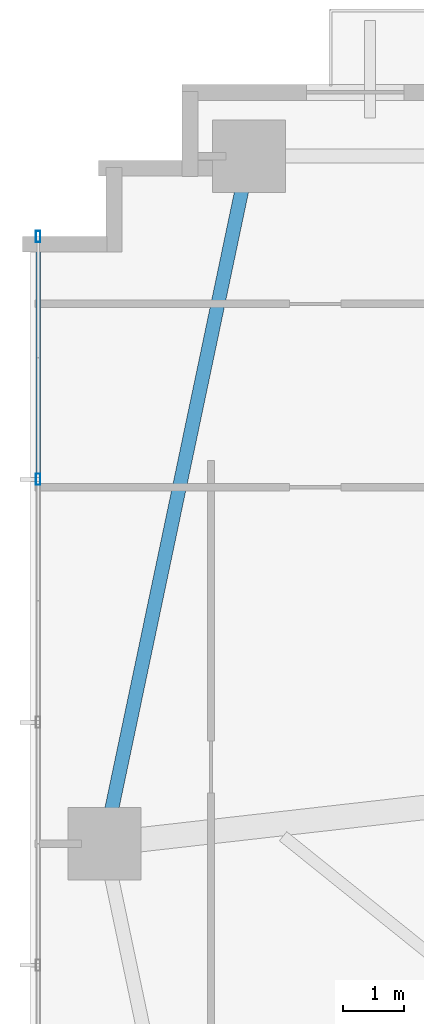
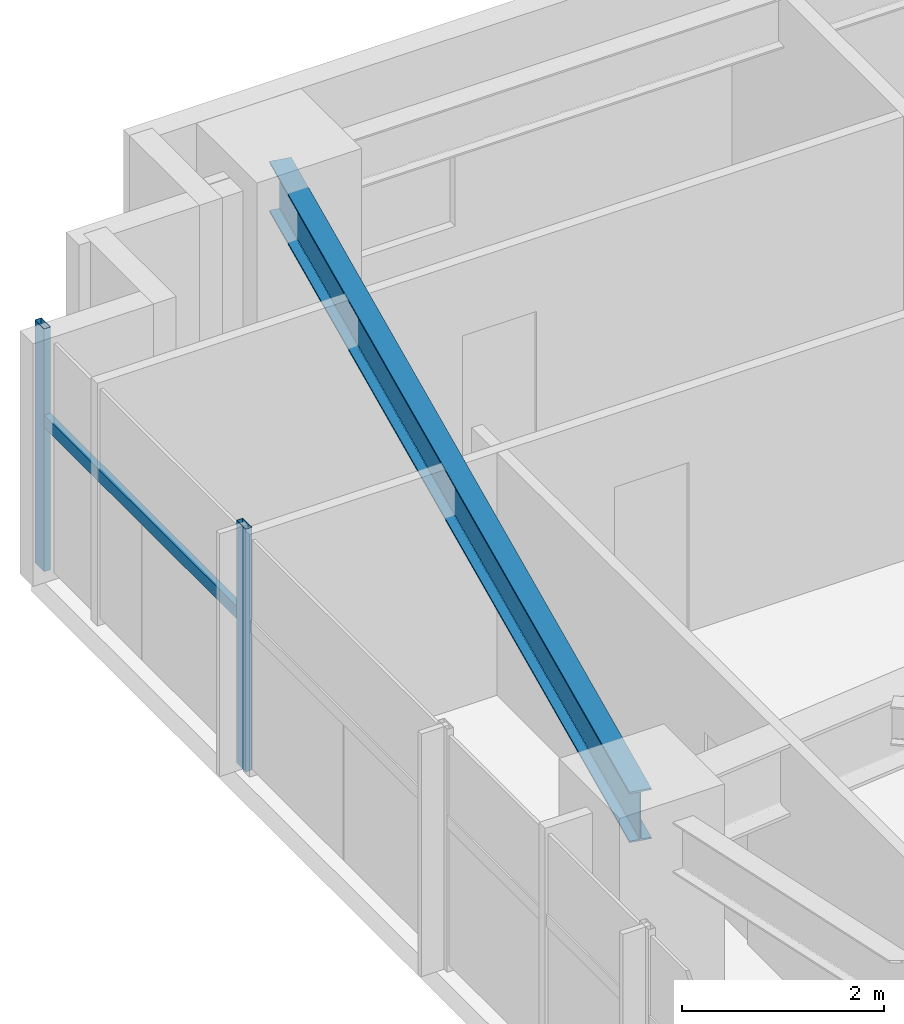
# One storey, part 8 of 25: 3 members, 1 beam, 1 element without a shape of its own.
"""IFC4 building model written with IfcOpenShell, lengths in metres."""

from ifc_helpers import new_model, si_unit, direction, frame, origin, origin_2d, place, context, subcontext, project, spatial, hollow_rectangle, i_section, extrude, source, transform, mapped, material, material_profile, profile_set, type_object, type_shapes, element, aggregate, save


model = new_model("IFC4")

# Units and contexts
model_context = context("Model", 3, precision=1e-05, world=origin(), true_north=direction((0.0, 1.0)))
body_context = subcontext(model_context, "Body", "Model", "MODEL_VIEW")
ifc_project = project(units=[si_unit("LENGTHUNIT", "METRE"), si_unit("AREAUNIT", "SQUARE_METRE"), si_unit("VOLUMEUNIT", "CUBIC_METRE"), si_unit("PLANEANGLEUNIT", "RADIAN"), si_unit("MASSUNIT", "GRAM", prefix="KILO")], contexts=[model_context])

# Site, building, storey
site_placement = place(None, origin())
site = spatial("IfcSite", under=ifc_project, at=site_placement, CompositionType="ELEMENT")
building_placement = place(site_placement, origin())
building = spatial("IfcBuilding", under=site, at=building_placement, Name="Astriad Promenade Condominiums", CompositionType="ELEMENT")
storey_placement = place(building_placement, frame((0.0, 0.0, 42.199951171875)))
storey = spatial("IfcBuildingStorey", under=building, at=storey_placement, Name="L11", CompositionType="ELEMENT", Elevation=42.199951171875)

# Beam
ifc_material_1 = material(Name="Steel ASTM A992 Grade 50", Category="steel")
ifc_material_profile_1 = material_profile(ifc_material_1, i_section(OverallWidth=0.22900390625, OverallDepth=0.612060546875, WebThickness=0.011962890625, FlangeThickness=0.01953125, FilletRadius=0.017822265625, at=origin_2d()), Name="W24X84")
ifc_profile_set_1 = profile_set([ifc_material_profile_1], Name="Steel ASTM A992 Grade 50")
beam_type = type_object("IfcBeamType", Name="STEEL SPANDREL BEAM W24X84", PredefinedType="SPANDREL", material=ifc_profile_set_1)
shared_shape_1 = source(origin(), body_context, "Body", "SweptSolid", [
    extrude(i_section(OverallWidth=0.22900390625, OverallDepth=0.612060546875, WebThickness=0.011962890625, FlangeThickness=0.01953125, FilletRadius=0.017822265625, at=origin_2d()), origin(), (0.0, 0.0, 1.0), 11.48779296875),
])
type_shapes(beam_type, [shared_shape_1])
beam_placement = place(storey_placement, frame((9.391845703125, 26.48095703125, 2.634033203125), z_axis=(-0.205743776427, -0.978605895374, 0.0), x_axis=(0.978605895374, -0.205743776427, 0.0)))
element("IfcBeam", 1, at=beam_placement, inside=storey, type_object=beam_type, Name="Perimeter Spandrel Beam SP-W2-L11", PredefinedType="SPANDREL", context=body_context, shape_type="MappedRepresentation", body=[
    mapped(shared_shape_1, transform((0.0, 0.0, 0.0), scale=1.0)),
])

# Curtain wall, members
ifc_material_2 = material(Name="Anodised aluminium Black Dark Glass Unitised", Category="aluminium")
curtain_wall_type = type_object("IfcCurtainWallType", Name="CW-B1-DARK", PredefinedType="USERDEFINED", material=ifc_material_2)
curtain_wall_placement = place(storey_placement, origin())
curtain_wall = element("IfcCurtainWall", 2, at=curtain_wall_placement, inside=storey, type_object=curtain_wall_type, Name="CW-L11-W", ObjectType="UNITISED_CURTAIN_WALL", PredefinedType="USERDEFINED")
ifc_material_3 = material(Name="Anodised aluminium 6063-T6 Black", Category="aluminium")
ifc_material_profile_2 = material_profile(ifc_material_3, hollow_rectangle(XDim=0.074951171875, YDim=0.18505859375, WallThickness=0.00439453125, at=origin_2d()), Name="ALU-MUL-75X185")
ifc_profile_set_2 = profile_set([ifc_material_profile_2], Name="Anodised aluminium 6063-T6 Black")
member_type_1 = type_object("IfcMemberType", Name="MUL-ALU-MUL-75X185", PredefinedType="MULLION", material=ifc_profile_set_2)
shared_shape_2 = source(origin(), body_context, "Body", "SweptSolid", [
    extrude(hollow_rectangle(XDim=0.074951171875, YDim=0.18505859375, WallThickness=0.00439453125, at=origin_2d()), origin(), (0.0, 0.0, 1.0), 2.93994140625),
])
type_shapes(member_type_1, [shared_shape_2])
member_1_placement = place(storey_placement, frame((5.929931640625, 21.199951171875, 0.0), z_axis=(0.0, 0.0, 1.0), x_axis=(1.0, 0.0, 0.0)))
member_1 = element("IfcMember", 3, at=member_1_placement, type_object=member_type_1, Name="CW-L11-W-MUL-04", PredefinedType="MULLION", context=body_context, shape_type="MappedRepresentation", body=[
    mapped(shared_shape_2, transform((0.0, 0.0, 0.0), scale=1.0)),
])
member_2_placement = place(storey_placement, frame((5.929931640625, 25.199951171875, 0.0), z_axis=(0.0, 0.0, 1.0), x_axis=(1.0, 0.0, 0.0)))
member_2 = element("IfcMember", 4, at=member_2_placement, type_object=member_type_1, Name="CW-L11-W-MUL-05", PredefinedType="MULLION", context=body_context, shape_type="MappedRepresentation", body=[
    mapped(shared_shape_2, transform((0.0, 0.0, 0.0), scale=1.0)),
])
ifc_material_profile_3 = material_profile(ifc_material_3, hollow_rectangle(XDim=0.074951171875, YDim=0.14990234375, WallThickness=0.004150390625, at=origin_2d()), Name="ALU-TRN-75X150")
ifc_profile_set_3 = profile_set([ifc_material_profile_3], Name="Anodised aluminium 6063-T6 Black")
member_type_2 = type_object("IfcMemberType", Name="TRN-ALU-TRN-75X150", PredefinedType="USERDEFINED", material=ifc_profile_set_3)
shared_shape_3 = source(origin(), body_context, "Body", "SweptSolid", [
    extrude(hollow_rectangle(XDim=0.074951171875, YDim=0.14990234375, WallThickness=0.004150390625, at=origin_2d()), origin(), (0.0, 0.0, 1.0), 4.0),
])
type_shapes(member_type_2, [shared_shape_3])
member_3_placement = place(storey_placement, frame((5.929931640625, 21.199951171875, 1.82275390625), z_axis=(0.0, 1.0, 0.0), x_axis=(-1.0, 0.0, 0.0)))
member_3 = element("IfcMember", 5, at=member_3_placement, type_object=member_type_2, Name="CW-L11-W-TRN-04-0", ObjectType="TRANSOM", PredefinedType="USERDEFINED", context=body_context, shape_type="MappedRepresentation", body=[
    mapped(shared_shape_3, transform((0.0, 0.0, 0.0), scale=1.0)),
])
aggregate(curtain_wall, [member_1, member_2, member_3])

save(model, "model.ifc")
